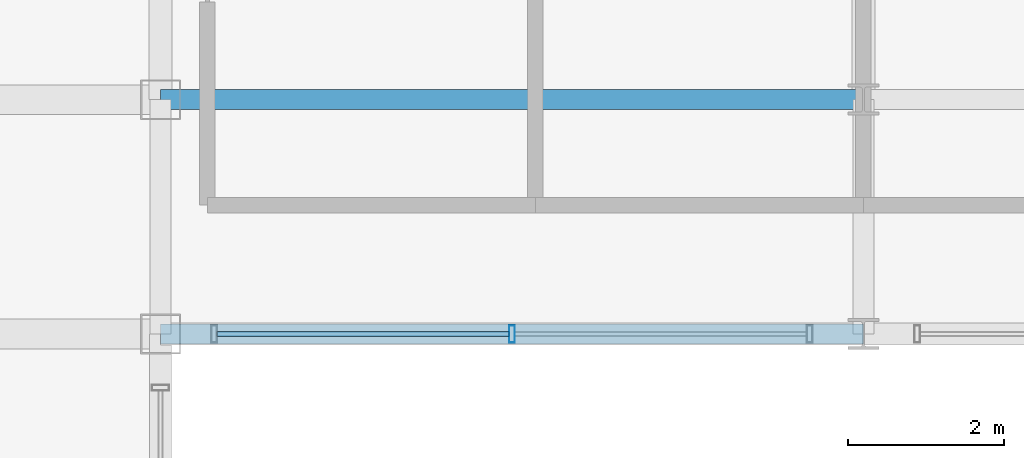
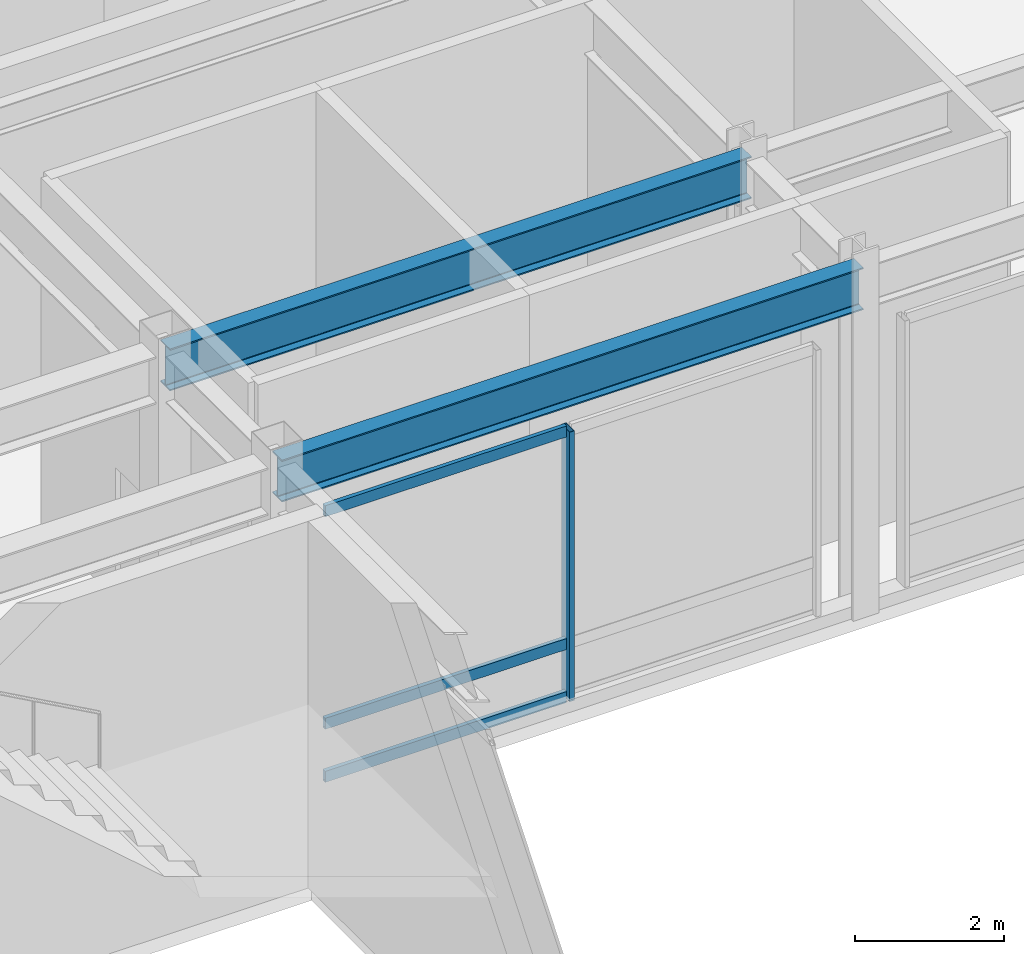
# One storey, part 55 of 105: 4 members, 2 beams, 1 element without a shape of its own.
"""IFC4 building model written with IfcOpenShell, lengths in metres."""

from ifc_helpers import new_model, si_unit, direction, frame, origin, origin_2d, place, context, subcontext, project, spatial, hollow_rectangle, i_section, extrude, material, material_profile, profile_set, type_object, element, aggregate, save


model = new_model("IFC4")

# Units and contexts
model_context = context("Model", 3, precision=1e-05, world=origin(), true_north=direction((0.0, 1.0)))
body_context = subcontext(model_context, "Body", "Model", "MODEL_VIEW")
ifc_project = project(units=[si_unit("LENGTHUNIT", "METRE"), si_unit("AREAUNIT", "SQUARE_METRE"), si_unit("VOLUMEUNIT", "CUBIC_METRE"), si_unit("PLANEANGLEUNIT", "RADIAN"), si_unit("MASSUNIT", "GRAM", prefix="KILO")], contexts=[model_context])

# Site, building, storey
site_placement = place(None, origin())
site = spatial("IfcSite", under=ifc_project, at=site_placement, CompositionType="ELEMENT")
building_placement = place(site_placement, origin())
building = spatial("IfcBuilding", under=site, at=building_placement, Name="Kaldorvane Square Convention Centre", CompositionType="ELEMENT")
storey_placement = place(building_placement, frame((0.0, 0.0, 6.0)))
storey = spatial("IfcBuildingStorey", under=building, at=storey_placement, Name="L01", CompositionType="ELEMENT", Elevation=6.0)

# Beams
ifc_material_1 = material(Name="Steel ASTM A992 Gr. 50", Category="steel")
ifc_material_profile_1 = material_profile(ifc_material_1, i_section(OverallWidth=0.25439453125, OverallDepth=0.6880950927734375, WebThickness=0.0131072998046875, FlangeThickness=0.0211029052734375, FilletRadius=0.01519775390625, at=origin_2d()), Name="W27X102")
ifc_profile_set_1 = profile_set([ifc_material_profile_1], Name="Steel ASTM A992 Gr. 50")
beam_type = type_object("IfcBeamType", Name="BM-GR-W27X102", PredefinedType="BEAM", material=ifc_profile_set_1)
for number, where, z_axis, x_axis, name in (
    (1, (138.0, 81.0, 5.332000732421875), (1.0, 0.0, 0.0), (0.0, 1.0, 0.0), "Primary Girder (L01)"),
    (2, (138.0, 84.0, 5.332000732421875), (1.0, 0.0, 0.0), (0.0, 1.0, 0.0), "Primary Girder (L01)"),
):
    element("IfcBeam", number, at=place(storey_placement, frame(where, z_axis=z_axis, x_axis=x_axis)), inside=storey, type_object=beam_type, Name=name, PredefinedType="BEAM", context=body_context, shape_type="SweptSolid", body=[
        extrude(i_section(OverallWidth=0.25439453125, OverallDepth=0.6880950927734375, WebThickness=0.0131072998046875, FlangeThickness=0.0211029052734375, FilletRadius=0.01519775390625, at=origin_2d()), origin(), (0.0, 0.0, 1.0), 9.0),
    ])

# Curtain wall, members
ifc_material_2 = material(Name="Anodized Aluminum and Low-E Insulated Glazing", Category="aluminium")
curtain_wall_type = type_object("IfcCurtainWallType", Name="CW-PTS-FC-60", PredefinedType="USERDEFINED", material=ifc_material_2)
curtain_wall_placement = place(storey_placement, origin())
curtain_wall = element("IfcCurtainWall", 3, at=curtain_wall_placement, inside=storey, type_object=curtain_wall_type, Name="Curtain Wall CW-07 (L01)", ObjectType="POINT SUPPORTED GLAZING", PredefinedType="USERDEFINED")
ifc_material_profile_2 = material_profile(ifc_material_2, hollow_rectangle(XDim=0.0749969482421875, YDim=0.220001220703125, WallThickness=0.003997802734375, at=origin_2d()), Name="CWM-220X75")
ifc_profile_set_2 = profile_set([ifc_material_profile_2], Name="Anodized Aluminum and Low-E Insulated Glazing")
member_type_1 = type_object("IfcMemberType", Name="CW-MUL-220", PredefinedType="MULLION", material=ifc_profile_set_2)
member_1_placement = place(storey_placement, frame((142.5, 81.0, 0.149993896484375), z_axis=(0.0, 0.0, 1.0), x_axis=(1.0, 0.0, 0.0)))
member_1 = element("IfcMember", 4, at=member_1_placement, type_object=member_type_1, Name="CW-07 mullion 2", PredefinedType="MULLION", context=body_context, shape_type="SweptSolid", body=[
    extrude(hollow_rectangle(XDim=0.0749969482421875, YDim=0.220001220703125, WallThickness=0.003997802734375, at=origin_2d()), origin(), (0.0, 0.0, 1.0), 4.410003662109375),
])
ifc_material_profile_3 = material_profile(ifc_material_2, hollow_rectangle(XDim=0.06500244140625, YDim=0.17999267578125, WallThickness=0.0034942626953125, at=origin_2d()), Name="CWT-180X65")
ifc_profile_set_3 = profile_set([ifc_material_profile_3], Name="Anodized Aluminum and Low-E Insulated Glazing")
member_type_2 = type_object("IfcMemberType", Name="CW-TRN-180", PredefinedType="USERDEFINED", material=ifc_profile_set_3)
member_2_placement = place(storey_placement, frame((138.72500610351562, 81.0, 0.1824951171875), z_axis=(1.0, 0.0, 0.0), x_axis=(0.0, 1.0, 0.0)))
member_2 = element("IfcMember", 5, at=member_2_placement, type_object=member_type_2, Name="CW-07 transom 1.1", ObjectType="TRANSOM", PredefinedType="USERDEFINED", context=body_context, shape_type="SweptSolid", body=[
    extrude(hollow_rectangle(XDim=0.06500244140625, YDim=0.17999267578125, WallThickness=0.0034942626953125, at=origin_2d()), origin(), (0.0, 0.0, 1.0), 3.73748779296875),
])
member_3_placement = place(storey_placement, frame((138.72500610351562, 81.0, 1.0500030517578125), z_axis=(1.0, 0.0, 0.0), x_axis=(0.0, 1.0, 0.0)))
member_3 = element("IfcMember", 6, at=member_3_placement, type_object=member_type_2, Name="CW-07 transom 1.2", ObjectType="TRANSOM", PredefinedType="USERDEFINED", context=body_context, shape_type="SweptSolid", body=[
    extrude(hollow_rectangle(XDim=0.06500244140625, YDim=0.17999267578125, WallThickness=0.0034942626953125, at=origin_2d()), origin(), (0.0, 0.0, 1.0), 3.73748779296875),
])
member_4_placement = place(storey_placement, frame((138.72500610351562, 81.0, 4.527496337890625), z_axis=(1.0, 0.0, 0.0), x_axis=(0.0, 1.0, 0.0)))
member_4 = element("IfcMember", 7, at=member_4_placement, type_object=member_type_2, Name="CW-07 transom 1.3", ObjectType="TRANSOM", PredefinedType="USERDEFINED", context=body_context, shape_type="SweptSolid", body=[
    extrude(hollow_rectangle(XDim=0.06500244140625, YDim=0.17999267578125, WallThickness=0.0034942626953125, at=origin_2d()), origin(), (0.0, 0.0, 1.0), 3.73748779296875),
])
aggregate(curtain_wall, [member_1, member_2, member_3, member_4])

save(model, "model.ifc")
